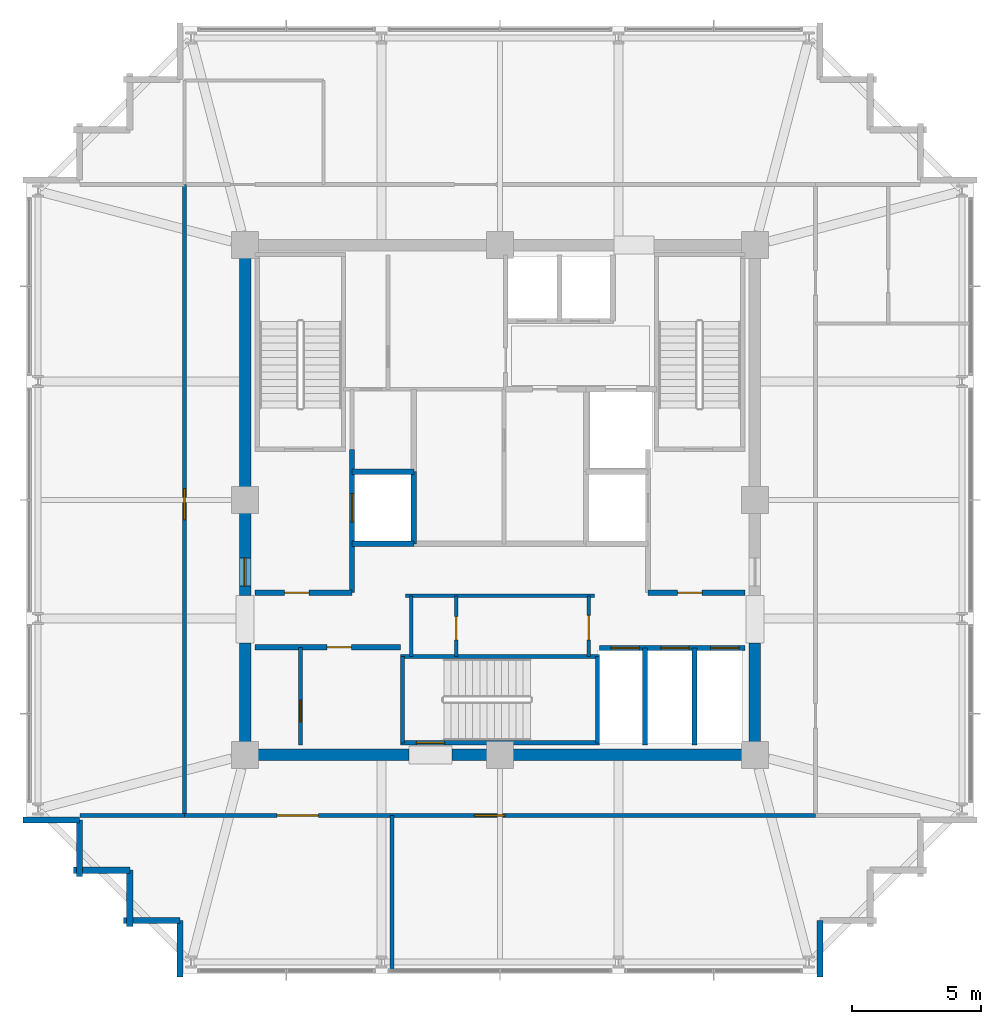
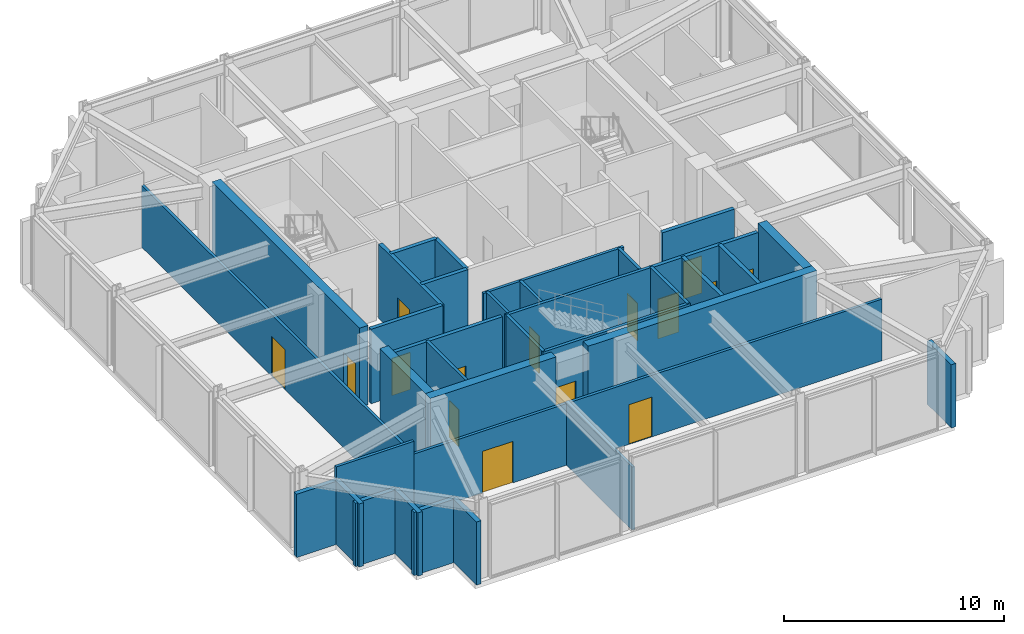
# One storey, part 23 of 26: 35 walls, 15 doors, 15 openings.
"""IFC4 building model written with IfcOpenShell, lengths in metres."""

from ifc_helpers import new_model, si_unit, direction, frame, frame_2d, origin, place, context, subcontext, project, spatial, rectangle, extrude, material, layer, layer_set, type_object, element, fill, save


model = new_model("IFC4")

# Units and contexts
model_context = context("Model", 3, precision=1e-05, world=origin(), true_north=direction((0.0, 1.0)))
body_context = subcontext(model_context, "Body", "Model", "MODEL_VIEW")
ifc_project = project(units=[si_unit("LENGTHUNIT", "METRE"), si_unit("AREAUNIT", "SQUARE_METRE"), si_unit("VOLUMEUNIT", "CUBIC_METRE"), si_unit("PLANEANGLEUNIT", "RADIAN"), si_unit("MASSUNIT", "GRAM", prefix="KILO")], contexts=[model_context])

# Site, building, storey
site_placement = place(None, origin())
site = spatial("IfcSite", under=ifc_project, at=site_placement, CompositionType="ELEMENT")
building_placement = place(site_placement, origin())
building = spatial("IfcBuilding", under=site, at=building_placement, Name="Kolvaren Belvedere", CompositionType="ELEMENT")
storey_placement = place(building_placement, frame((0.0, 0.0, 258.39990234375)))
storey = spatial("IfcBuildingStorey", under=building, at=storey_placement, Name="L75", CompositionType="ELEMENT", Elevation=258.39990234375)

# Walls
ifc_material_1 = material(Name="Concrete C50/60", Category="concrete")
ifc_layer_1 = layer(ifc_material_1, 0.449951171875)
ifc_layer_set_1 = layer_set([ifc_layer_1], Name="Concrete C50/60")
wall_type_1 = type_object("IfcWallType", Name="CW-CORE-450", PredefinedType="SHEAR", material=ifc_layer_set_1)
wall_1_placement = place(storey_placement, frame((10.125, -9.89990234375, 0.0), z_axis=(0.0, 0.0, 1.0), x_axis=(-1.0, 0.0, 0.0)))
element("IfcWall", 1, at=wall_1_placement, inside=storey, type_object=wall_type_1, Name="L75 South Core Shear Wall 1", PredefinedType="SHEAR", context=body_context, shape_type="SweptSolid", body=[
    extrude(rectangle(XDim=11.985107421875, YDim=0.449951171875, at=frame_2d((5.99267578125, 0.0))), origin(), (0.0, 0.0, 1.0), 4.400146484375),
])
wall_2_placement = place(storey_placement, frame((-3.5400390625, -9.89990234375, 0.0), z_axis=(0.0, 0.0, 1.0), x_axis=(-1.0, 0.0, 0.0)))
element("IfcWall", 2, at=wall_2_placement, inside=storey, type_object=wall_type_1, Name="L75 South Core Shear Wall 2", PredefinedType="SHEAR", context=body_context, shape_type="SweptSolid", body=[
    extrude(rectangle(XDim=6.5849609375, YDim=0.449951171875, at=frame_2d((3.29248046875, 0.0))), origin(), (0.0, 0.0, 1.0), 4.400146484375),
])
for number, where, z_axis, x_axis, name in (
    (3, (-9.89990234375, -9.675048828125, 0.0), (0.0, 0.0, 1.0), (0.0, 1.0, 0.0), "L75 West Core Shear Wall 1"),
    (4, (9.89990234375, -9.675048828125, 0.0), (0.0, 0.0, 1.0), (0.0, 1.0, 0.0), "L75 East Core Shear Wall 1"),
):
    element("IfcWall", number, at=place(storey_placement, frame(where, z_axis=z_axis, x_axis=x_axis)), inside=storey, type_object=wall_type_1, Name=name, PredefinedType="SHEAR", context=body_context, shape_type="SweptSolid", body=[
        extrude(rectangle(XDim=4.125, YDim=0.449951171875, at=frame_2d((2.0625, 0.0))), origin(), (0.0, 0.0, 1.0), 4.400146484375),
    ])

# Wall, opening, door
wall_3_placement = place(storey_placement, frame((-9.89990234375, -3.699951171875, 0.0), z_axis=(0.0, 0.0, 1.0), x_axis=(0.0, 1.0, 0.0)))
wall_3 = element("IfcWall", 5, at=wall_3_placement, inside=storey, type_object=wall_type_1, Name="L75 West Core Shear Wall 2", PredefinedType="SHEAR", context=body_context, shape_type="SweptSolid", body=[
    extrude(rectangle(XDim=13.375, YDim=0.449951171875, at=frame_2d((6.6875, 0.0))), origin(), (0.0, 0.0, 1.0), 4.400146484375),
])
opening_1_placement = place(wall_3_placement, frame((0.35009765625, 0.0, 0.0)))
opening_1 = element("IfcOpeningElement", 6, at=opening_1_placement, cuts=wall_3, Name="Opening D-FD90", PredefinedType="OPENING", context=body_context, shape_type="SweptSolid", body=[
    extrude(rectangle(XDim=1.10009765625, YDim=2.199951171875, at=frame_2d((0.550048828125, 1.10009765625))), frame((0.0, 0.23486328125, 0.0), z_axis=(0.0, -1.0, 0.0), x_axis=(1.0, 0.0, 0.0)), (0.0, 0.0, 1.0), 0.469970703125),
])
ifc_material_2 = material(Name="Painted hollow stainless steel", Category="steel")
door_type_1 = type_object("IfcDoorType", Name="DR-FD90-1100", OperationType="NOTDEFINED", PredefinedType="DOOR", material=ifc_material_2)
door_1_placement = place(opening_1_placement, origin())
door_1 = element("IfcDoor", 7, at=door_1_placement, inside=storey, type_object=door_type_1, Name="L75 West Firefighting Lobby Fire Door", OperationType="SINGLE_SWING_LEFT", OverallHeight=2.199951171875, OverallWidth=1.10009765625, PredefinedType="DOOR", context=body_context, shape_type="SweptSolid", body=[
    extrude(rectangle(XDim=1.10009765625, YDim=2.199951171875, at=frame_2d((0.550048828125, 1.10009765625))), frame((0.0, 0.02490234375, 0.0), z_axis=(0.0, -1.0, 0.0), x_axis=(1.0, 0.0, 0.0)), (0.0, 0.0, 1.0), 0.050048828125),
])
fill(opening_1, door_1)

ifc_material_3 = material(Name="Concrete C50/60", Category="concrete")
ifc_layer_2 = layer(ifc_material_3, 0.159912109375)
ifc_layer_set_2 = layer_set([ifc_layer_2], Name="Concrete C50/60")
wall_type_2 = type_object("IfcWallType", Name="CW-STAIR-160", PredefinedType="SHEAR", material=ifc_layer_set_2)
wall_4_placement = place(storey_placement, frame((3.860107421875, -9.429931640625, 0.0), z_axis=(0.0, 0.0, 1.0), x_axis=(-1.0, 0.0, 0.0)))
wall_4 = element("IfcWall", 8, at=wall_4_placement, inside=storey, type_object=wall_type_2, Name="L75 Stair ST-3 South Shear Wall", PredefinedType="SHEAR", context=body_context, shape_type="SweptSolid", body=[
    extrude(rectangle(XDim=7.72021484375, YDim=0.159912109375, at=frame_2d((3.860107421875, 0.0))), origin(), (0.0, 0.0, 1.0), 4.400146484375),
])
opening_2_placement = place(wall_4_placement, frame((6.010009765625, 0.0, 0.0)))
opening_2 = element("IfcOpeningElement", 9, at=opening_2_placement, cuts=wall_4, Name="Opening D-FD90", PredefinedType="OPENING", context=body_context, shape_type="SweptSolid", body=[
    extrude(rectangle(XDim=1.10009765625, YDim=2.199951171875, at=frame_2d((0.550048828125, 1.10009765625))), frame((0.0, 0.08984375, 0.0), z_axis=(0.0, -1.0, 0.0), x_axis=(1.0, 0.0, 0.0)), (0.0, 0.0, 1.0), 0.179931640625),
])
door_2_placement = place(opening_2_placement, origin())
door_2 = element("IfcDoor", 10, at=door_2_placement, inside=storey, type_object=door_type_1, Name="L75 Stair ST-3 Exit Door", OperationType="SINGLE_SWING_RIGHT", OverallHeight=2.199951171875, OverallWidth=1.10009765625, PredefinedType="DOOR", context=body_context, shape_type="SweptSolid", body=[
    extrude(rectangle(XDim=1.10009765625, YDim=2.199951171875, at=frame_2d((0.550048828125, 1.10009765625))), frame((0.0, 0.02490234375, 0.0), z_axis=(0.0, -1.0, 0.0), x_axis=(1.0, 0.0, 0.0)), (0.0, 0.0, 1.0), 0.050048828125),
])
fill(opening_2, door_2)

# Walls
wall_5_placement = place(storey_placement, frame((-3.860107421875, -6.080078125, 0.0), z_axis=(0.0, 0.0, 1.0), x_axis=(1.0, 0.0, 0.0)))
element("IfcWall", 11, at=wall_5_placement, inside=storey, type_object=wall_type_2, Name="L75 Stair ST-3 North Shear Wall", PredefinedType="SHEAR", context=body_context, shape_type="SweptSolid", body=[
    extrude(rectangle(XDim=7.72021484375, YDim=0.159912109375, at=frame_2d((3.860107421875, 0.0))), origin(), (0.0, 0.0, 1.0), 4.400146484375),
])
for number, where, z_axis, x_axis, name in (
    (12, (-3.780029296875, -9.429931640625, 0.0), (0.0, 0.0, 1.0), (0.0, 1.0, 0.0), "L75 Stair ST-3 West Shear Wall"),
    (13, (3.780029296875, -9.429931640625, 0.0), (0.0, 0.0, 1.0), (0.0, 1.0, 0.0), "L75 Stair ST-3 East Shear Wall"),
):
    element("IfcWall", number, at=place(storey_placement, frame(where, z_axis=z_axis, x_axis=x_axis)), inside=storey, type_object=wall_type_2, Name=name, PredefinedType="SHEAR", context=body_context, shape_type="SweptSolid", body=[
        extrude(rectangle(XDim=3.349853515625, YDim=0.159912109375, at=frame_2d((1.6748046875, 0.0))), origin(), (0.0, 0.0, 1.0), 4.400146484375),
    ])

# Wall, openings, doors
ifc_material_4 = material(Name="Gypsum fire-rated partition assembly", Category="gypsum")
ifc_layer_3 = layer(ifc_material_4, 0.14990234375)
ifc_layer_set_3 = layer_set([ifc_layer_3], Name="Gypsum fire-rated partition assembly")
wall_type_3 = type_object("IfcWallType", Name="WL-CORR-150", PredefinedType="PARTITIONING", material=ifc_layer_set_3)
wall_6_placement = place(storey_placement, frame((-12.260009765625, -12.260009765625, 0.0), z_axis=(0.0, 0.0, 1.0), x_axis=(1.0, 0.0, 0.0)))
wall_6 = element("IfcWall", 14, at=wall_6_placement, inside=storey, type_object=wall_type_3, Name="L75 South Corridor Wall", PredefinedType="PARTITIONING", context=body_context, shape_type="SweptSolid", body=[
    extrude(rectangle(XDim=24.52001953125, YDim=0.14990234375, at=frame_2d((12.260009765625, 0.0))), origin(), (0.0, 0.0, 1.0), 3.4091796875),
])
opening_3_placement = place(wall_6_placement, frame((3.60009765625, 0.0, 0.0)))
opening_3 = element("IfcOpeningElement", 15, at=opening_3_placement, cuts=wall_6, Name="Opening D-GL16", PredefinedType="OPENING", context=body_context, shape_type="SweptSolid", body=[
    extrude(rectangle(XDim=1.60009765625, YDim=2.300048828125, at=frame_2d((0.800048828125, 1.14990234375))), frame((0.0, 0.0849609375, 0.0), z_axis=(0.0, -1.0, 0.0), x_axis=(1.0, 0.0, 0.0)), (0.0, 0.0, 1.0), 0.169921875),
])
opening_4_placement = place(wall_6_placement, frame((11.260009765625, 0.0, 0.0)))
opening_4 = element("IfcOpeningElement", 16, at=opening_4_placement, cuts=wall_6, Name="Opening D-GL12", PredefinedType="OPENING", context=body_context, shape_type="SweptSolid", body=[
    extrude(rectangle(XDim=1.199951171875, YDim=2.199951171875, at=frame_2d((0.60009765625, 1.10009765625))), frame((0.0, 0.0849609375, 0.0), z_axis=(0.0, -1.0, 0.0), x_axis=(1.0, 0.0, 0.0)), (0.0, 0.0, 1.0), 0.169921875),
])
ifc_material_5 = material(Name="Anodised pale-metal aluminium & safety glass", Category="aluminium")
door_type_2 = type_object("IfcDoorType", Name="DR-GLAZ-1200", OperationType="DOUBLE_DOOR_SINGLE_SWING", PredefinedType="DOOR", material=ifc_material_5)
door_3_placement = place(opening_4_placement, origin())
door_3 = element("IfcDoor", 17, at=door_3_placement, inside=storey, type_object=door_type_2, Name="L75 Sommelier Wine & Tasting Salon Door", OperationType="DOUBLE_DOOR_SINGLE_SWING", OverallHeight=2.199951171875, OverallWidth=1.199951171875, PredefinedType="DOOR", context=body_context, shape_type="SweptSolid", body=[
    extrude(rectangle(XDim=1.199951171875, YDim=2.199951171875, at=frame_2d((0.60009765625, 1.10009765625))), frame((0.0, 0.02490234375, 0.0), z_axis=(0.0, -1.0, 0.0), x_axis=(1.0, 0.0, 0.0)), (0.0, 0.0, 1.0), 0.050048828125),
])
fill(opening_4, door_3)
ifc_material_6 = material(Name="Anodised pale-metal aluminium & safety glass", Category="aluminium")
door_type_3 = type_object("IfcDoorType", Name="DR-GLAZ-1600", OperationType="DOUBLE_DOOR_SINGLE_SWING", PredefinedType="DOOR", material=ifc_material_6)
door_4_placement = place(opening_3_placement, origin())
door_4 = element("IfcDoor", 18, at=door_4_placement, inside=storey, type_object=door_type_3, Name="L75 Belvedere Sky Cocktail Lounge Door", OperationType="DOUBLE_DOOR_SINGLE_SWING", OverallHeight=2.300048828125, OverallWidth=1.60009765625, PredefinedType="DOOR", context=body_context, shape_type="SweptSolid", body=[
    extrude(rectangle(XDim=1.60009765625, YDim=2.300048828125, at=frame_2d((0.800048828125, 1.14990234375))), frame((0.0, 0.02490234375, 0.0), z_axis=(0.0, -1.0, 0.0), x_axis=(1.0, 0.0, 0.0)), (0.0, 0.0, 1.0), 0.050048828125),
])
fill(opening_3, door_4)

# Wall, opening, door
wall_7_placement = place(storey_placement, frame((-12.260009765625, -12.260009765625, 0.0), z_axis=(0.0, 0.0, 1.0), x_axis=(0.0, 1.0, 0.0)))
wall_7 = element("IfcWall", 19, at=wall_7_placement, inside=storey, type_object=wall_type_3, Name="L75 West Corridor Wall", PredefinedType="PARTITIONING", context=body_context, shape_type="SweptSolid", body=[
    extrude(rectangle(XDim=24.52001953125, YDim=0.14990234375, at=frame_2d((12.260009765625, 0.0))), origin(), (0.0, 0.0, 1.0), 3.4091796875),
])
opening_5_placement = place(wall_7_placement, frame((11.5, 0.0, 0.0)))
opening_5 = element("IfcOpeningElement", 20, at=opening_5_placement, cuts=wall_7, Name="Opening D-GL12", PredefinedType="OPENING", context=body_context, shape_type="SweptSolid", body=[
    extrude(rectangle(XDim=1.199951171875, YDim=2.199951171875, at=frame_2d((0.60009765625, 1.10009765625))), frame((0.0, 0.0849609375, 0.0), z_axis=(0.0, -1.0, 0.0), x_axis=(1.0, 0.0, 0.0)), (0.0, 0.0, 1.0), 0.169921875),
])
door_5_placement = place(opening_5_placement, origin())
door_5 = element("IfcDoor", 21, at=door_5_placement, inside=storey, type_object=door_type_2, Name="L75 Private Cloud Dining Salon Door", OperationType="DOUBLE_DOOR_SINGLE_SWING", OverallHeight=2.199951171875, OverallWidth=1.199951171875, PredefinedType="DOOR", context=body_context, shape_type="SweptSolid", body=[
    extrude(rectangle(XDim=1.199951171875, YDim=2.199951171875, at=frame_2d((0.60009765625, 1.10009765625))), frame((0.0, 0.02490234375, 0.0), z_axis=(0.0, -1.0, 0.0), x_axis=(1.0, 0.0, 0.0)), (0.0, 0.0, 1.0), 0.050048828125),
])
fill(opening_5, door_5)

# Walls
wall_8_placement = place(storey_placement, frame((-16.320068359375, -12.260009765625, 0.0), z_axis=(0.0, 0.0, 1.0), x_axis=(1.0, 0.0, 0.0)))
element("IfcWall", 22, at=wall_8_placement, inside=storey, type_object=wall_type_3, Name="L75 Sector Wall PW-L75-QSW", PredefinedType="PARTITIONING", context=body_context, shape_type="SweptSolid", body=[
    extrude(rectangle(XDim=4.06005859375, YDim=0.14990234375, at=frame_2d((2.030029296875, 0.0))), origin(), (0.0, 0.0, 1.0), 4.1201171875),
])
ifc_material_7 = material(Name="Insulated pale-metal facade wall assembly", Category="aluminium")
ifc_layer_4 = layer(ifc_material_7, 0.239990234375)
ifc_layer_set_4 = layer_set([ifc_layer_4], Name="Insulated pale-metal facade wall assembly")
wall_type_4 = type_object("IfcWallType", Name="WL-EXT-240", PredefinedType="STANDARD", material=ifc_layer_set_4)
for number, where, z_axis, x_axis, name in (
    (23, (12.429931640625, -16.330078125, 0.0), (0.0, 0.0, 1.0), (0.0, -1.0, 0.0), "L75 Serrated Corner Facade Wall 2"),
    (24, (-16.330078125, -12.429931640625, 0.0), (0.0, 0.0, 1.0), (-1.0, 0.0, 0.0), "L75 Serrated Corner Facade Wall 23"),
):
    element("IfcWall", number, at=place(storey_placement, frame(where, z_axis=z_axis, x_axis=x_axis)), inside=storey, type_object=wall_type_4, Name=name, PredefinedType="STANDARD", context=body_context, shape_type="SweptSolid", body=[
        extrude(rectangle(XDim=2.18994140625, YDim=0.239990234375, at=frame_2d((1.094970703125, 0.0))), origin(), (0.0, 0.0, 1.0), 3.503173828125),
    ])
for number, where, z_axis, x_axis, name in (
    (25, (-16.330078125, -14.6201171875, 0.0), (0.0, 0.0, 1.0), (0.0, 1.0, 0.0), "L75 Serrated Corner Facade Wall 24"),
    (26, (-14.3798828125, -14.3798828125, 0.0), (0.0, 0.0, 1.0), (-1.0, 0.0, 0.0), "L75 Serrated Corner Facade Wall 25"),
    (27, (-14.3798828125, -16.570068359375, 0.0), (0.0, 0.0, 1.0), (0.0, 1.0, 0.0), "L75 Serrated Corner Facade Wall 26"),
    (28, (-12.429931640625, -16.330078125, 0.0), (0.0, 0.0, 1.0), (-1.0, 0.0, 0.0), "L75 Serrated Corner Facade Wall 27"),
):
    element("IfcWall", number, at=place(storey_placement, frame(where, z_axis=z_axis, x_axis=x_axis)), inside=storey, type_object=wall_type_4, Name=name, PredefinedType="STANDARD", context=body_context, shape_type="SweptSolid", body=[
        extrude(rectangle(XDim=2.190185546875, YDim=0.239990234375, at=frame_2d((1.09521484375, 0.0))), origin(), (0.0, 0.0, 1.0), 3.503173828125),
    ])
wall_9_placement = place(storey_placement, frame((-12.429931640625, -18.52001953125, 0.0), z_axis=(0.0, 0.0, 1.0), x_axis=(0.0, 1.0, 0.0)))
element("IfcWall", 29, at=wall_9_placement, inside=storey, type_object=wall_type_4, Name="L75 Serrated Corner Facade Wall 28", PredefinedType="STANDARD", context=body_context, shape_type="SweptSolid", body=[
    extrude(rectangle(XDim=2.18994140625, YDim=0.239990234375, at=frame_2d((1.094970703125, 0.0))), origin(), (0.0, 0.0, 1.0), 3.503173828125),
])

# Wall, opening, door
ifc_material_8 = material(Name="Gypsum acoustic partition assembly", Category="gypsum")
ifc_layer_5 = layer(ifc_material_8, 0.14990234375)
ifc_layer_set_5 = layer_set([ifc_layer_5], Name="Gypsum acoustic partition assembly")
wall_type_5 = type_object("IfcWallType", Name="WL-PART-150", PredefinedType="PARTITIONING", material=ifc_layer_set_5)
wall_10_placement = place(storey_placement, frame((-7.75, -9.52001953125, 0.0), z_axis=(0.0, 0.0, 1.0), x_axis=(0.0, 1.0, 0.0)))
wall_10 = element("IfcWall", 30, at=wall_10_placement, inside=storey, type_object=wall_type_5, Name="L75 Reclaimed Mid Store Divider", PredefinedType="PARTITIONING", context=body_context, shape_type="SweptSolid", body=[
    extrude(rectangle(XDim=3.800048828125, YDim=0.14990234375, at=frame_2d((1.89990234375, 0.0))), origin(), (0.0, 0.0, 1.0), 4.1201171875),
])
opening_6_placement = place(wall_10_placement, frame((0.89990234375, 0.0, 0.0)))
opening_6 = element("IfcOpeningElement", 31, at=opening_6_placement, cuts=wall_10, Name="Opening D-INT85", PredefinedType="OPENING", context=body_context, shape_type="SweptSolid", body=[
    extrude(rectangle(XDim=0.85009765625, YDim=2.030029296875, at=frame_2d((0.425048828125, 1.01513671875))), frame((0.0, 0.0849609375, 0.0), z_axis=(0.0, -1.0, 0.0), x_axis=(1.0, 0.0, 0.0)), (0.0, 0.0, 1.0), 0.169921875),
])
ifc_material_9 = material(Name="Stained Pacific white oak", Category="timber")
door_type_4 = type_object("IfcDoorType", Name="DR-INT-850", OperationType="NOTDEFINED", PredefinedType="DOOR", material=ifc_material_9)
door_6_placement = place(opening_6_placement, origin())
door_6 = element("IfcDoor", 32, at=door_6_placement, inside=storey, type_object=door_type_4, Name="L75 Janitor Store Door", OperationType="SINGLE_SWING_RIGHT", OverallHeight=2.030029296875, OverallWidth=0.85009765625, PredefinedType="DOOR", context=body_context, shape_type="SweptSolid", body=[
    extrude(rectangle(XDim=0.85009765625, YDim=2.030029296875, at=frame_2d((0.425048828125, 1.01513671875))), frame((0.0, 0.02490234375, 0.0), z_axis=(0.0, -1.0, 0.0), x_axis=(1.0, 0.0, 0.0)), (0.0, 0.0, 1.0), 0.050048828125),
])
fill(opening_6, door_6)

# Wall
wall_11_placement = place(storey_placement, frame((-3.679931640625, -3.719970703125, 0.0), z_axis=(0.0, 0.0, 1.0), x_axis=(1.0, 0.0, 0.0)))
element("IfcWall", 33, at=wall_11_placement, inside=storey, type_object=wall_type_5, Name="L75 South Core Service North Wall", PredefinedType="PARTITIONING", context=body_context, shape_type="SweptSolid", body=[
    extrude(rectangle(XDim=7.35986328125, YDim=0.14990234375, at=frame_2d((3.679931640625, 0.0))), origin(), (0.0, 0.0, 1.0), 4.1201171875),
])

# Wall, opening, door
wall_12_placement = place(storey_placement, frame((3.449951171875, -6.080078125, 0.0), z_axis=(0.0, 0.0, 1.0), x_axis=(0.0, 1.0, 0.0)))
wall_12 = element("IfcWall", 34, at=wall_12_placement, inside=storey, type_object=wall_type_5, Name="L75 South Core Service East Wall", PredefinedType="PARTITIONING", context=body_context, shape_type="SweptSolid", body=[
    extrude(rectangle(XDim=2.360107421875, YDim=0.14990234375, at=frame_2d((1.18017578125, 0.0))), origin(), (0.0, 0.0, 1.0), 4.1201171875),
])
opening_7_placement = place(wall_12_placement, frame((0.64990234375, 0.0, 0.0)))
opening_7 = element("IfcOpeningElement", 35, at=opening_7_placement, cuts=wall_12, Name="Opening D-FD60", PredefinedType="OPENING", context=body_context, shape_type="SweptSolid", body=[
    extrude(rectangle(XDim=0.949951171875, YDim=2.06005859375, at=frame_2d((0.47509765625, 1.030029296875))), frame((0.0, 0.0849609375, 0.0), z_axis=(0.0, -1.0, 0.0), x_axis=(1.0, 0.0, 0.0)), (0.0, 0.0, 1.0), 0.169921875),
])
ifc_material_10 = material(Name="Acoustic white-oak fire door leaf", Category="timber")
door_type_5 = type_object("IfcDoorType", Name="DR-FD60-950", OperationType="NOTDEFINED", PredefinedType="DOOR", material=ifc_material_10)
door_7_placement = place(opening_7_placement, origin())
door_7 = element("IfcDoor", 36, at=door_7_placement, inside=storey, type_object=door_type_5, Name="L75 Core Service Room Door", OperationType="SINGLE_SWING_LEFT", OverallHeight=2.06005859375, OverallWidth=0.949951171875, PredefinedType="DOOR", context=body_context, shape_type="SweptSolid", body=[
    extrude(rectangle(XDim=0.949951171875, YDim=2.06005859375, at=frame_2d((0.47509765625, 1.030029296875))), frame((0.0, 0.02490234375, 0.0), z_axis=(0.0, -1.0, 0.0), x_axis=(1.0, 0.0, 0.0)), (0.0, 0.0, 1.0), 0.050048828125),
])
fill(opening_7, door_7)

# Wall
wall_13_placement = place(storey_placement, frame((-3.449951171875, -6.080078125, 0.0), z_axis=(0.0, 0.0, 1.0), x_axis=(0.0, 1.0, 0.0)))
element("IfcWall", 37, at=wall_13_placement, inside=storey, type_object=wall_type_5, Name="L75 South Core Service West Wall", PredefinedType="PARTITIONING", context=body_context, shape_type="SweptSolid", body=[
    extrude(rectangle(XDim=2.360107421875, YDim=0.14990234375, at=frame_2d((1.18017578125, 0.0))), origin(), (0.0, 0.0, 1.0), 4.1201171875),
])

# Wall, opening, door
wall_14_placement = place(storey_placement, frame((-1.699951171875, -6.080078125, 0.0), z_axis=(0.0, 0.0, 1.0), x_axis=(0.0, 1.0, 0.0)))
wall_14 = element("IfcWall", 38, at=wall_14_placement, inside=storey, type_object=wall_type_5, Name="L75 Core Service Divider", PredefinedType="PARTITIONING", context=body_context, shape_type="SweptSolid", body=[
    extrude(rectangle(XDim=2.360107421875, YDim=0.14990234375, at=frame_2d((1.18017578125, 0.0))), origin(), (0.0, 0.0, 1.0), 4.1201171875),
])
opening_8_placement = place(wall_14_placement, frame((0.64990234375, 0.0, 0.0)))
opening_8 = element("IfcOpeningElement", 39, at=opening_8_placement, cuts=wall_14, Name="Opening D-INT90", PredefinedType="OPENING", context=body_context, shape_type="SweptSolid", body=[
    extrude(rectangle(XDim=0.89990234375, YDim=2.06005859375, at=frame_2d((0.449951171875, 1.030029296875))), frame((0.0, 0.0849609375, 0.0), z_axis=(0.0, -1.0, 0.0), x_axis=(1.0, 0.0, 0.0)), (0.0, 0.0, 1.0), 0.169921875),
])
ifc_material_11 = material(Name="Stained Pacific white oak", Category="timber")
door_type_6 = type_object("IfcDoorType", Name="DR-INT-900", OperationType="NOTDEFINED", PredefinedType="DOOR", material=ifc_material_11)
door_8_placement = place(opening_8_placement, origin())
door_8 = element("IfcDoor", 40, at=door_8_placement, inside=storey, type_object=door_type_6, Name="L75 Telecom Inner Door", OperationType="SINGLE_SWING_RIGHT", OverallHeight=2.06005859375, OverallWidth=0.89990234375, PredefinedType="DOOR", context=body_context, shape_type="SweptSolid", body=[
    extrude(rectangle(XDim=0.89990234375, YDim=2.06005859375, at=frame_2d((0.449951171875, 1.030029296875))), frame((0.0, 0.02490234375, 0.0), z_axis=(0.0, -1.0, 0.0), x_axis=(1.0, 0.0, 0.0)), (0.0, 0.0, 1.0), 0.050048828125),
])
fill(opening_8, door_8)

# Wall
wall_15_placement = place(storey_placement, frame((-4.199951171875, -18.280029296875, 0.0), z_axis=(0.0, 0.0, 1.0), x_axis=(0.0, 1.0, 0.0)))
element("IfcWall", 41, at=wall_15_placement, inside=storey, type_object=wall_type_5, Name="L75 South Salon Divider", PredefinedType="PARTITIONING", context=body_context, shape_type="SweptSolid", body=[
    extrude(rectangle(XDim=6.02001953125, YDim=0.14990234375, at=frame_2d((3.010009765625, 0.0))), origin(), (0.0, 0.0, 1.0), 3.4931640625),
])

# Wall, opening, door
ifc_material_12 = material(Name="Concrete C50/60", Category="concrete")
ifc_layer_6 = layer(ifc_material_12, 0.199951171875)
ifc_layer_set_6 = layer_set([ifc_layer_6], Name="Concrete C50/60")
wall_type_6 = type_object("IfcWallType", Name="WL-SHAFT-200", PredefinedType="SOLIDWALL", material=ifc_layer_set_6)
wall_16_placement = place(storey_placement, frame((-9.52001953125, -3.60009765625, 0.0), z_axis=(0.0, 0.0, 1.0), x_axis=(1.0, 0.0, 0.0)))
wall_16 = element("IfcWall", 42, at=wall_16_placement, inside=storey, type_object=wall_type_6, Name="L75 West FSAE Lobby South Wall", PredefinedType="SOLIDWALL", context=body_context, shape_type="SweptSolid", body=[
    extrude(rectangle(XDim=3.77001953125, YDim=0.199951171875, at=frame_2d((1.885009765625, 0.0))), origin(), (0.0, 0.0, 1.0), 4.1201171875),
])
opening_9_placement = place(wall_16_placement, frame((1.14990234375, 0.0, 0.0)))
opening_9 = element("IfcOpeningElement", 43, at=opening_9_placement, cuts=wall_16, Name="Opening D-FD60", PredefinedType="OPENING", context=body_context, shape_type="SweptSolid", body=[
    extrude(rectangle(XDim=0.949951171875, YDim=2.06005859375, at=frame_2d((0.47509765625, 1.030029296875))), frame((0.0, 0.10986328125, 0.0), z_axis=(0.0, -1.0, 0.0), x_axis=(1.0, 0.0, 0.0)), (0.0, 0.0, 1.0), 0.219970703125),
])
door_9_placement = place(opening_9_placement, origin())
door_9 = element("IfcDoor", 44, at=door_9_placement, inside=storey, type_object=door_type_5, Name="L75 SW Lobby Fire Door", OperationType="SINGLE_SWING_LEFT", OverallHeight=2.06005859375, OverallWidth=0.949951171875, PredefinedType="DOOR", context=body_context, shape_type="SweptSolid", body=[
    extrude(rectangle(XDim=0.949951171875, YDim=2.06005859375, at=frame_2d((0.47509765625, 1.030029296875))), frame((0.0, 0.02490234375, 0.0), z_axis=(0.0, -1.0, 0.0), x_axis=(1.0, 0.0, 0.0)), (0.0, 0.0, 1.0), 0.050048828125),
])
fill(opening_9, door_9)

wall_17_placement = place(storey_placement, frame((-5.75, -3.60009765625, 0.0), z_axis=(0.0, 0.0, 1.0), x_axis=(0.0, 1.0, 0.0)))
wall_17 = element("IfcWall", 45, at=wall_17_placement, inside=storey, type_object=wall_type_6, Name="L75 FSAE FS1 Landing Wall", PredefinedType="SOLIDWALL", context=body_context, shape_type="SweptSolid", body=[
    extrude(rectangle(XDim=5.570068359375, YDim=0.199951171875, at=frame_2d((2.78515625, 0.0))), origin(), (0.0, 0.0, 1.0), 4.1201171875),
])
opening_10_placement = place(wall_17_placement, frame((2.75, 0.0, 0.0)))
opening_10 = element("IfcOpeningElement", 46, at=opening_10_placement, cuts=wall_17, Name="Opening LD-11", PredefinedType="OPENING", context=body_context, shape_type="SweptSolid", body=[
    extrude(rectangle(XDim=1.10009765625, YDim=2.199951171875, at=frame_2d((0.550048828125, 1.10009765625))), frame((0.0, 0.10986328125, 0.0), z_axis=(0.0, -1.0, 0.0), x_axis=(1.0, 0.0, 0.0)), (0.0, 0.0, 1.0), 0.219970703125),
])
ifc_material_13 = material(Name="Brushed stainless steel", Category="steel")
door_type_7 = type_object("IfcDoorType", Name="DR-LIFT-1100", OperationType="DOUBLE_DOOR_SLIDING", PredefinedType="DOOR", material=ifc_material_13)
door_10_placement = place(opening_10_placement, origin())
door_10 = element("IfcDoor", 47, at=door_10_placement, inside=storey, type_object=door_type_7, Name="L75 Firefighting Lift FS1 Landing Door", OperationType="DOUBLE_DOOR_SLIDING", OverallHeight=2.199951171875, OverallWidth=1.10009765625, PredefinedType="DOOR", context=body_context, shape_type="SweptSolid", body=[
    extrude(rectangle(XDim=1.10009765625, YDim=2.199951171875, at=frame_2d((0.550048828125, 1.10009765625))), frame((0.0, 0.02490234375, 0.0), z_axis=(0.0, -1.0, 0.0), x_axis=(1.0, 0.0, 0.0)), (0.0, 0.0, 1.0), 0.050048828125),
])
fill(opening_10, door_10)

# Walls
wall_18_placement = place(storey_placement, frame((-3.35009765625, -1.699951171875, 0.0), z_axis=(0.0, 0.0, 1.0), x_axis=(0.0, 1.0, 0.0)))
element("IfcWall", 48, at=wall_18_placement, inside=storey, type_object=wall_type_6, Name="L75 FSAE FS1 Back Wall", PredefinedType="SOLIDWALL", context=body_context, shape_type="SweptSolid", body=[
    extrude(rectangle(XDim=2.800048828125, YDim=0.199951171875, at=frame_2d((1.39990234375, 0.0))), origin(), (0.0, 0.0, 1.0), 4.1201171875),
])
for number, where, z_axis, x_axis, name in (
    (49, (-5.75, -1.699951171875, 0.0), (0.0, 0.0, 1.0), (1.0, 0.0, 0.0), "L75 FSAE FS1 South Wall"),
    (50, (-5.75, 1.10009765625, 0.0), (0.0, 0.0, 1.0), (1.0, 0.0, 0.0), "L75 FSAE FS1 North Wall"),
):
    element("IfcWall", number, at=place(storey_placement, frame(where, z_axis=z_axis, x_axis=x_axis)), inside=storey, type_object=wall_type_6, Name=name, PredefinedType="SOLIDWALL", context=body_context, shape_type="SweptSolid", body=[
        extrude(rectangle(XDim=2.39990234375, YDim=0.199951171875, at=frame_2d((1.199951171875, 0.0))), origin(), (0.0, 0.0, 1.0), 4.1201171875),
    ])

# Wall, opening, door
wall_19_placement = place(storey_placement, frame((5.75, -3.60009765625, 0.0), z_axis=(0.0, 0.0, 1.0), x_axis=(1.0, 0.0, 0.0)))
wall_19 = element("IfcWall", 51, at=wall_19_placement, inside=storey, type_object=wall_type_6, Name="L75 East FSAE Lobby South Wall", PredefinedType="SOLIDWALL", context=body_context, shape_type="SweptSolid", body=[
    extrude(rectangle(XDim=3.77001953125, YDim=0.199951171875, at=frame_2d((1.885009765625, 0.0))), origin(), (0.0, 0.0, 1.0), 4.1201171875),
])
opening_11_placement = place(wall_19_placement, frame((1.14990234375, 0.0, 0.0)))
opening_11 = element("IfcOpeningElement", 52, at=opening_11_placement, cuts=wall_19, Name="Opening D-FD60", PredefinedType="OPENING", context=body_context, shape_type="SweptSolid", body=[
    extrude(rectangle(XDim=0.949951171875, YDim=2.06005859375, at=frame_2d((0.47509765625, 1.030029296875))), frame((0.0, 0.10986328125, 0.0), z_axis=(0.0, -1.0, 0.0), x_axis=(1.0, 0.0, 0.0)), (0.0, 0.0, 1.0), 0.219970703125),
])
door_11_placement = place(opening_11_placement, origin())
door_11 = element("IfcDoor", 53, at=door_11_placement, inside=storey, type_object=door_type_5, Name="L75 SE Lift Lobby Fire Door", OperationType="SINGLE_SWING_RIGHT", OverallHeight=2.06005859375, OverallWidth=0.949951171875, PredefinedType="DOOR", context=body_context, shape_type="SweptSolid", body=[
    extrude(rectangle(XDim=0.949951171875, YDim=2.06005859375, at=frame_2d((0.47509765625, 1.030029296875))), frame((0.0, 0.02490234375, 0.0), z_axis=(0.0, -1.0, 0.0), x_axis=(1.0, 0.0, 0.0)), (0.0, 0.0, 1.0), 0.050048828125),
])
fill(opening_11, door_11)

wall_20_placement = place(storey_placement, frame((-9.52001953125, -5.719970703125, 0.0), z_axis=(0.0, 0.0, 1.0), x_axis=(1.0, 0.0, 0.0)))
wall_20 = element("IfcWall", 54, at=wall_20_placement, inside=storey, type_object=wall_type_6, Name="L75 Reclaimed Mid Room North Wall", PredefinedType="SOLIDWALL", context=body_context, shape_type="SweptSolid", body=[
    extrude(rectangle(XDim=5.659912109375, YDim=0.199951171875, at=frame_2d((2.830078125, 0.0))), origin(), (0.0, 0.0, 1.0), 4.1201171875),
])
opening_12_placement = place(wall_20_placement, frame((2.800048828125, 0.0, 0.0)))
opening_12 = element("IfcOpeningElement", 55, at=opening_12_placement, cuts=wall_20, Name="Opening D-FD60", PredefinedType="OPENING", context=body_context, shape_type="SweptSolid", body=[
    extrude(rectangle(XDim=0.949951171875, YDim=2.06005859375, at=frame_2d((0.47509765625, 1.030029296875))), frame((0.0, 0.10986328125, 0.0), z_axis=(0.0, -1.0, 0.0), x_axis=(1.0, 0.0, 0.0)), (0.0, 0.0, 1.0), 0.219970703125),
])
door_12_placement = place(opening_12_placement, origin())
door_12 = element("IfcDoor", 56, at=door_12_placement, inside=storey, type_object=door_type_5, Name="L75 Reading Lounge Door", OperationType="SINGLE_SWING_LEFT", OverallHeight=2.06005859375, OverallWidth=0.949951171875, PredefinedType="DOOR", context=body_context, shape_type="SweptSolid", body=[
    extrude(rectangle(XDim=0.949951171875, YDim=2.06005859375, at=frame_2d((0.47509765625, 1.030029296875))), frame((0.0, 0.02490234375, 0.0), z_axis=(0.0, -1.0, 0.0), x_axis=(1.0, 0.0, 0.0)), (0.0, 0.0, 1.0), 0.050048828125),
])
fill(opening_12, door_12)

# Wall, openings, doors
wall_21_placement = place(storey_placement, frame((3.860107421875, -5.75, 0.0), z_axis=(0.0, 0.0, 1.0), x_axis=(1.0, 0.0, 0.0)))
wall_21 = element("IfcWall", 57, at=wall_21_placement, inside=storey, type_object=wall_type_6, Name="L75 High-Rise Lift Bank Front Wall", PredefinedType="SOLIDWALL", context=body_context, shape_type="SweptSolid", body=[
    extrude(rectangle(XDim=5.659912109375, YDim=0.199951171875, at=frame_2d((2.830078125, 0.0))), origin(), (0.0, 0.0, 1.0), 4.1201171875),
])
opening_13_placement = place(wall_21_placement, frame((0.4599609375, 0.0, 0.0)))
opening_13 = element("IfcOpeningElement", 58, at=opening_13_placement, cuts=wall_21, Name="Opening LD-11", PredefinedType="OPENING", context=body_context, shape_type="SweptSolid", body=[
    extrude(rectangle(XDim=1.10009765625, YDim=2.199951171875, at=frame_2d((0.550048828125, 1.10009765625))), frame((0.0, 0.10986328125, 0.0), z_axis=(0.0, -1.0, 0.0), x_axis=(1.0, 0.0, 0.0)), (0.0, 0.0, 1.0), 0.219970703125),
])
opening_14_placement = place(wall_21_placement, frame((2.389892578125, 0.0, 0.0)))
opening_14 = element("IfcOpeningElement", 59, at=opening_14_placement, cuts=wall_21, Name="Opening LD-11", PredefinedType="OPENING", context=body_context, shape_type="SweptSolid", body=[
    extrude(rectangle(XDim=1.10009765625, YDim=2.199951171875, at=frame_2d((0.550048828125, 1.10009765625))), frame((0.0, 0.10986328125, 0.0), z_axis=(0.0, -1.0, 0.0), x_axis=(1.0, 0.0, 0.0)), (0.0, 0.0, 1.0), 0.219970703125),
])
opening_15_placement = place(wall_21_placement, frame((4.320068359375, 0.0, 0.0)))
opening_15 = element("IfcOpeningElement", 60, at=opening_15_placement, cuts=wall_21, Name="Opening LD-11", PredefinedType="OPENING", context=body_context, shape_type="SweptSolid", body=[
    extrude(rectangle(XDim=1.10009765625, YDim=2.199951171875, at=frame_2d((0.550048828125, 1.10009765625))), frame((0.0, 0.10986328125, 0.0), z_axis=(0.0, -1.0, 0.0), x_axis=(1.0, 0.0, 0.0)), (0.0, 0.0, 1.0), 0.219970703125),
])
door_13_placement = place(opening_13_placement, origin())
door_13 = element("IfcDoor", 61, at=door_13_placement, inside=storey, type_object=door_type_7, Name="L75 Passenger Lift P7 Landing Door", OperationType="DOUBLE_DOOR_SLIDING", OverallHeight=2.199951171875, OverallWidth=1.10009765625, PredefinedType="DOOR", context=body_context, shape_type="SweptSolid", body=[
    extrude(rectangle(XDim=1.10009765625, YDim=2.199951171875, at=frame_2d((0.550048828125, 1.10009765625))), frame((0.0, 0.02490234375, 0.0), z_axis=(0.0, -1.0, 0.0), x_axis=(1.0, 0.0, 0.0)), (0.0, 0.0, 1.0), 0.050048828125),
])
fill(opening_13, door_13)
door_14_placement = place(opening_14_placement, origin())
door_14 = element("IfcDoor", 62, at=door_14_placement, inside=storey, type_object=door_type_7, Name="L75 Passenger Lift P8 Landing Door", OperationType="DOUBLE_DOOR_SLIDING", OverallHeight=2.199951171875, OverallWidth=1.10009765625, PredefinedType="DOOR", context=body_context, shape_type="SweptSolid", body=[
    extrude(rectangle(XDim=1.10009765625, YDim=2.199951171875, at=frame_2d((0.550048828125, 1.10009765625))), frame((0.0, 0.02490234375, 0.0), z_axis=(0.0, -1.0, 0.0), x_axis=(1.0, 0.0, 0.0)), (0.0, 0.0, 1.0), 0.050048828125),
])
fill(opening_14, door_14)
door_15_placement = place(opening_15_placement, origin())
door_15 = element("IfcDoor", 63, at=door_15_placement, inside=storey, type_object=door_type_7, Name="L75 Passenger Lift P9 Landing Door", OperationType="DOUBLE_DOOR_SLIDING", OverallHeight=2.199951171875, OverallWidth=1.10009765625, PredefinedType="DOOR", context=body_context, shape_type="SweptSolid", body=[
    extrude(rectangle(XDim=1.10009765625, YDim=2.199951171875, at=frame_2d((0.550048828125, 1.10009765625))), frame((0.0, 0.02490234375, 0.0), z_axis=(0.0, -1.0, 0.0), x_axis=(1.0, 0.0, 0.0)), (0.0, 0.0, 1.0), 0.050048828125),
])
fill(opening_15, door_15)

# Walls
for number, where, z_axis, x_axis, name in (
    (64, (5.6298828125, -9.52001953125, 0.0), (0.0, 0.0, 1.0), (0.0, 1.0, 0.0), "L75 High-Rise Hoistway Divider 1"),
    (65, (7.56005859375, -9.52001953125, 0.0), (0.0, 0.0, 1.0), (0.0, 1.0, 0.0), "L75 High-Rise Hoistway Divider 2"),
):
    element("IfcWall", number, at=place(storey_placement, frame(where, z_axis=z_axis, x_axis=x_axis)), inside=storey, type_object=wall_type_6, Name=name, PredefinedType="SOLIDWALL", context=body_context, shape_type="SweptSolid", body=[
        extrude(rectangle(XDim=3.77001953125, YDim=0.199951171875, at=frame_2d((1.885009765625, 0.0))), origin(), (0.0, 0.0, 1.0), 4.1201171875),
    ])

save(model, "model.ifc")
